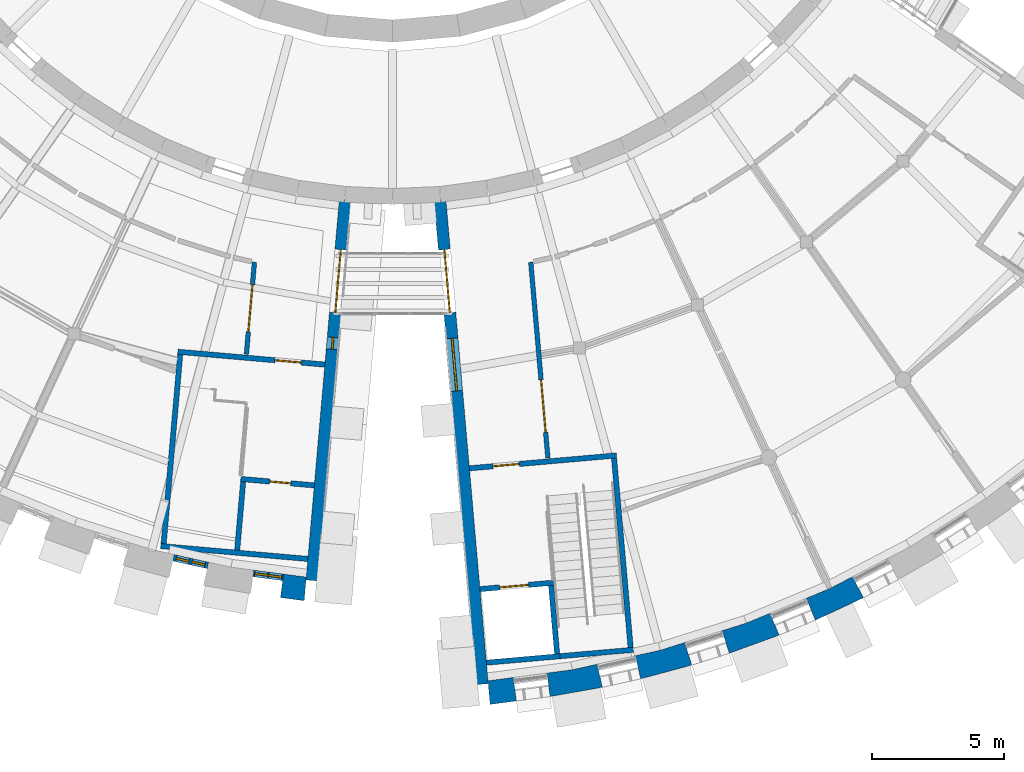
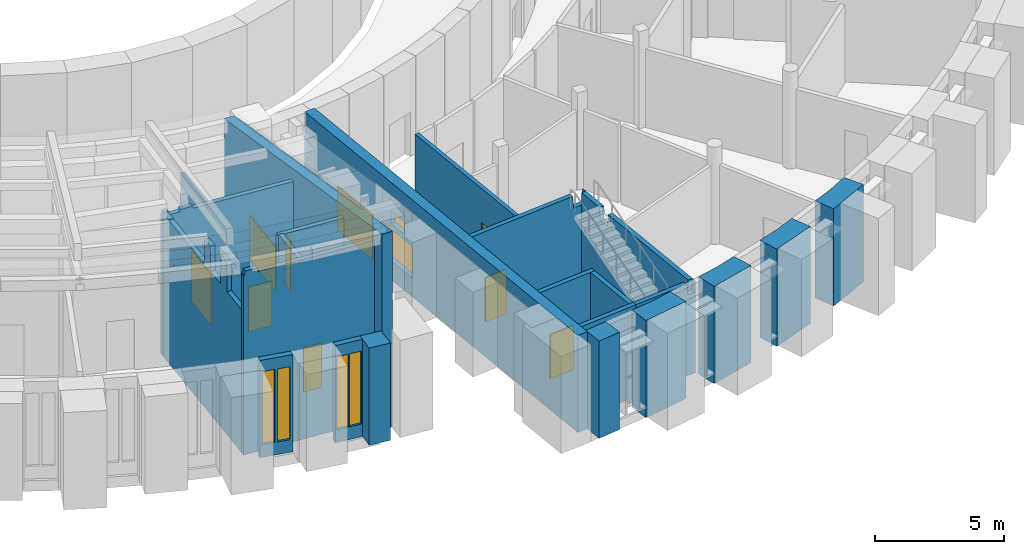
# One storey, part 38 of 66: 23 walls, 8 doors, 7 windows, 15 openings.
"""IFC4 building model written with IfcOpenShell, lengths in metres."""

from ifc_helpers import new_model, si_unit, direction, frame, frame_2d, origin, place, context, subcontext, project, spatial, polyline, rectangle, outline, extrude, material, layer, layer_set, type_object, element, fill, save


model = new_model("IFC4")

# Units and contexts
model_context = context("Model", 3, precision=1e-05, world=origin(), true_north=direction((0.0, 1.0)))
body_context = subcontext(model_context, "Body", "Model", "MODEL_VIEW")
ifc_project = project(units=[si_unit("LENGTHUNIT", "METRE"), si_unit("AREAUNIT", "SQUARE_METRE"), si_unit("VOLUMEUNIT", "CUBIC_METRE"), si_unit("PLANEANGLEUNIT", "RADIAN"), si_unit("MASSUNIT", "GRAM", prefix="KILO")], contexts=[model_context])

# Site, building, storey
site_placement = place(None, origin())
site = spatial("IfcSite", under=ifc_project, at=site_placement, CompositionType="ELEMENT")
building_placement = place(site_placement, origin())
building = spatial("IfcBuilding", under=site, at=building_placement, Name="Volute Hill Aquarium", CompositionType="ELEMENT")
storey_placement = place(building_placement, frame((0.0, 0.0, 4.60009765625)))
storey = spatial("IfcBuildingStorey", under=building, at=storey_placement, Name="L02", CompositionType="ELEMENT", Elevation=4.60009765625)

# Wall, opening, door
ifc_material_1 = material(Name="Concrete C30/37", Category="concrete")
ifc_layer_1 = layer(ifc_material_1, 0.199951171875)
ifc_layer_set_1 = layer_set([ifc_layer_1], Name="Core wall 200 REI 60")
wall_type_1 = type_object("IfcWallType", Name="Core wall 200 REI 60", PredefinedType="SHEAR", material=ifc_layer_set_1)
wall_1_placement = place(storey_placement, frame((-2.56982421875, -27.0791015625, 0.0), z_axis=(0.0, 0.0, 1.0), x_axis=(-0.996195468136, 0.08714694065, 0.0)))
wall_1 = element("IfcWall", 1, at=wall_1_placement, inside=storey, type_object=wall_type_1, Name="wc/S2-B/L02/in", PredefinedType="SHEAR", context=body_context, shape_type="SweptSolid", body=[
    extrude(outline(polyline([(0.0, 0.0), (5.60009765625, 0.0), (5.60009765625, 6.599609375), (5.550048828125, 6.79541015625), (5.349853515625, 6.79541015625), (5.2998046875, 6.599609375), (4.87841796875, 6.599609375), (4.828369140625, 6.701171875), (4.328369140625, 6.701171875), (4.2783203125, 6.599609375), (0.0, 6.599609375), (0.0, 0.0)])), frame((0.0, 0.10009765625, 0.0), z_axis=(0.0, -1.0, 0.0), x_axis=(1.0, 0.0, 0.0)), (0.0, 0.0, 1.0), 0.199951171875),
])
opening_1_placement = place(wall_1_placement, frame((0.89990234375, 0.0, 0.0)))
opening_1 = element("IfcOpeningElement", 2, at=opening_1_placement, cuts=wall_1, Name="Opening D2.02.BS", PredefinedType="OPENING", context=body_context, shape_type="SweptSolid", body=[
    extrude(rectangle(XDim=1.0, YDim=2.10009765625, at=frame_2d((0.5, 1.050048828125))), frame((0.0, 0.10986328125, 0.0), z_axis=(0.0, -1.0, 0.0), x_axis=(1.0, 0.0, 0.0)), (0.0, 0.0, 1.0), 0.219970703125),
])
ifc_material_2 = material(Name="Timber, fire-rated", Category="wood")
door_type_1 = type_object("IfcDoorType", Name="Door 1000 x 2100 single EI1 30", OperationType="SINGLE_SWING_LEFT", PredefinedType="DOOR", material=ifc_material_2)
door_1_placement = place(opening_1_placement, origin())
door_1 = element("IfcDoor", 3, at=door_1_placement, inside=storey, type_object=door_type_1, Name="d/S2-B/L02/st", OperationType="SINGLE_SWING_RIGHT", OverallHeight=2.10009765625, OverallWidth=1.0, PredefinedType="DOOR", context=body_context, shape_type="SweptSolid", body=[
    extrude(rectangle(XDim=1.0, YDim=2.10009765625, at=frame_2d((0.5, 1.050048828125))), frame((0.0, 0.02490234375, 0.0), z_axis=(0.0, -1.0, 0.0), x_axis=(1.0, 0.0, 0.0)), (0.0, 0.0, 1.0), 0.050048828125),
])
fill(opening_1, door_1)

# Walls
wall_2_placement = place(storey_placement, frame((-8.0576171875, -26.69921875, 0.0), z_axis=(0.0, 0.0, 1.0), x_axis=(-0.087178307383, -0.996192723684, 0.0)))
element("IfcWall", 4, at=wall_2_placement, inside=storey, type_object=wall_type_1, Name="wc/S2-B/L02/side", PredefinedType="SHEAR", context=body_context, shape_type="SweptSolid", body=[
    extrude(outline(polyline([(0.0, 0.0), (7.199951171875, 0.0), (7.199951171875, 6.7763671875), (5.893310546875, 6.7763671875), (5.84326171875, 8.213623046875), (5.34326171875, 8.213623046875), (5.293212890625, 6.7763671875), (4.397216796875, 6.7763671875), (4.34716796875, 7.956787109375), (3.84716796875, 7.956787109375), (3.797119140625, 6.7763671875), (0.577392578125, 6.7763671875), (0.52734375, 6.79541015625), (0.050048828125, 6.79541015625), (0.0, 6.7763671875), (0.0, 0.0)])), frame((0.0, 0.10009765625, 0.0), z_axis=(0.0, -1.0, 0.0), x_axis=(1.0, 0.0, 0.0)), (0.0, 0.0, 1.0), 0.199951171875),
])
wall_3_placement = place(storey_placement, frame((-3.21484375, -34.450927734375, 0.0), z_axis=(0.0, 0.0, 1.0), x_axis=(-0.996195137027, 0.087150725554, 0.0)))
element("IfcWall", 5, at=wall_3_placement, inside=storey, type_object=wall_type_1, Name="wc/S2-B/L02/out", PredefinedType="SHEAR", context=body_context, shape_type="SweptSolid", body=[
    extrude(outline(polyline([(0.0, 0.0), (5.599853515625, 0.0), (5.60009765625, 8.501953125), (5.564697265625, 8.501953125), (5.5146484375, 8.6865234375), (5.0146484375, 8.6865234375), (4.964599609375, 8.501953125), (0.0, 8.501953125), (0.0, 0.0)])), frame((0.0, 0.10009765625, 0.0), z_axis=(0.0, -1.0, 0.0), x_axis=(1.0, 0.0, 0.0)), (0.0, 0.0, 1.0), 0.199951171875),
])

# Wall, opening, door
wall_4_placement = place(storey_placement, frame((2.9140625, -31.013916015625, 0.0), z_axis=(0.0, 0.0, 1.0), x_axis=(0.996195468136, 0.08714694065, 0.0)))
wall_4 = element("IfcWall", 6, at=wall_4_placement, inside=storey, type_object=wall_type_1, Name="wc/S3-A/L02/in", PredefinedType="SHEAR", context=body_context, shape_type="SweptSolid", body=[
    extrude(outline(polyline([(0.0, 0.0), (5.60009765625, 0.0), (5.60009765625, 4.349853515625), (5.574951171875, 4.349853515625), (5.52490234375, 3.77978515625), (5.02490234375, 3.77978515625), (4.97509765625, 4.349853515625), (0.0, 4.349853515625), (0.0, 0.0)])), frame((0.0, 0.10009765625, 0.0), z_axis=(0.0, -1.0, 0.0), x_axis=(1.0, 0.0, 0.0)), (0.0, 0.0, 1.0), 0.199951171875),
])
opening_2_placement = place(wall_4_placement, frame((0.89990234375, 0.0, 0.0)))
opening_2 = element("IfcOpeningElement", 7, at=opening_2_placement, cuts=wall_4, Name="Opening D3.02.AS", PredefinedType="OPENING", context=body_context, shape_type="SweptSolid", body=[
    extrude(rectangle(XDim=1.0, YDim=2.10009765625, at=frame_2d((0.5, 1.050048828125))), frame((0.0, 0.10986328125, 0.0), z_axis=(0.0, -1.0, 0.0), x_axis=(1.0, 0.0, 0.0)), (0.0, 0.0, 1.0), 0.219970703125),
])
door_2_placement = place(opening_2_placement, origin())
door_2 = element("IfcDoor", 8, at=door_2_placement, inside=storey, type_object=door_type_1, Name="d/S3-A/L02/st", OperationType="SINGLE_SWING_RIGHT", OverallHeight=2.10009765625, OverallWidth=1.0, PredefinedType="DOOR", context=body_context, shape_type="SweptSolid", body=[
    extrude(rectangle(XDim=1.0, YDim=2.10009765625, at=frame_2d((0.5, 1.050048828125))), frame((0.0, 0.02490234375, 0.0), z_axis=(0.0, -1.0, 0.0), x_axis=(1.0, 0.0, 0.0)), (0.0, 0.0, 1.0), 0.050048828125),
])
fill(opening_2, door_2)

# Walls
wall_5_placement = place(storey_placement, frame((8.40185546875, -30.63427734375, 0.0), z_axis=(0.0, 0.0, 1.0), x_axis=(0.087144656612, -0.996195667941, 0.0)))
element("IfcWall", 9, at=wall_5_placement, inside=storey, type_object=wall_type_1, Name="wc/S3-A/L02/side", PredefinedType="SHEAR", context=body_context, shape_type="SweptSolid", body=[
    extrude(outline(polyline([(0.0, 0.0), (7.199951171875, 0.0), (7.199951171875, 4.349853515625), (1.7939453125, 4.349853515625), (1.743896484375, 3.77978515625), (1.243896484375, 3.77978515625), (1.194091796875, 4.349853515625), (0.0, 4.349853515625), (0.0, 0.0)])), frame((0.0, 0.10009765625, 0.0), z_axis=(0.0, -1.0, 0.0), x_axis=(1.0, 0.0, 0.0)), (0.0, 0.0, 1.0), 0.199951171875),
])
wall_6_placement = place(storey_placement, frame((6.348388671875, -38.141845703125, 0.0), z_axis=(0.0, 0.0, 1.0), x_axis=(0.996191351034, 0.087193991338, 0.0)))
element("IfcWall", 10, at=wall_6_placement, inside=storey, type_object=wall_type_1, Name="wc/S3-A/L02/out-b", PredefinedType="SHEAR", context=body_context, shape_type="SweptSolid", body=[
    extrude(outline(polyline([(0.0, 0.0), (2.800048828125, 0.0), (2.800048828125, 4.349853515625), (2.75, 3.829833984375), (2.44482421875, 3.829833984375), (2.39501953125, 4.349853515625), (0.0, 4.349853515625), (0.0, 0.0)])), frame((0.0, 0.10009765625, 0.0), z_axis=(0.0, -1.0, 0.0), x_axis=(1.0, 0.0, 0.0)), (0.0, 0.0, 1.0), 0.199951171875),
])

# Wall, opening, door
ifc_material_3 = material(Name="Gypsum board on steel studs", Category="steel")
ifc_layer_2 = layer(ifc_material_3, 0.175048828125)
ifc_layer_set_2 = layer_set([ifc_layer_2], Name="Corridor partition 175 EI 60")
wall_type_2 = type_object("IfcWallType", Name="Corridor partition 175 EI 60", PredefinedType="PARTITIONING", material=ifc_layer_set_2)
wall_7_placement = place(storey_placement, frame((-5.547119140625, -26.68798828125, 0.0), z_axis=(0.0, 0.0, 1.0), x_axis=(0.087185076517, 0.996192131284, 0.0)))
wall_7 = element("IfcWall", 11, at=wall_7_placement, inside=storey, type_object=wall_type_2, Name="pw/S2/L02/007", PredefinedType="PARTITIONING", context=body_context, shape_type="SweptSolid", body=[
    extrude(rectangle(XDim=3.5087890625, YDim=0.175048828125, at=frame_2d((1.75439453125, 0.0))), origin(), (0.0, 0.0, 1.0), 5.552001953125),
])
opening_3_placement = place(wall_7_placement, frame((0.8544921875, 0.0, 0.0)))
opening_3 = element("IfcOpeningElement", 12, at=opening_3_placement, cuts=wall_7, Name="Opening D2.02.02", PredefinedType="OPENING", context=body_context, shape_type="SweptSolid", body=[
    extrude(rectangle(XDim=1.800048828125, YDim=2.39990234375, at=frame_2d((0.89990234375, 1.199951171875))), frame((0.0, 0.097412109375, 0.0), z_axis=(0.0, -1.0, 0.0), x_axis=(1.0, 0.0, 0.0)), (0.0, 0.0, 1.0), 0.195068359375),
])
ifc_material_4 = material(Name="Timber, fire-rated", Category="wood")
door_type_2 = type_object("IfcDoorType", Name="Door 1800 x 2400 gallery double EI1 30", OperationType="DOUBLE_DOOR_SINGLE_SWING", PredefinedType="DOOR", material=ifc_material_4)
door_3_placement = place(opening_3_placement, origin())
door_3 = element("IfcDoor", 13, at=door_3_placement, inside=storey, type_object=door_type_2, Name="d/S2/L02/02", OperationType="SINGLE_SWING_LEFT", OverallHeight=2.39990234375, OverallWidth=1.800048828125, PredefinedType="DOOR", context=body_context, shape_type="SweptSolid", body=[
    extrude(rectangle(XDim=1.800048828125, YDim=2.39990234375, at=frame_2d((0.89990234375, 1.199951171875))), frame((0.0, 0.02490234375, 0.0), z_axis=(0.0, -1.0, 0.0), x_axis=(1.0, 0.0, 0.0)), (0.0, 0.0, 1.0), 0.050048828125),
])
fill(opening_3, door_3)

wall_8_placement = place(storey_placement, frame((5.2412109375, -23.192626953125, 0.0), z_axis=(0.0, 0.0, 1.0), x_axis=(0.087164920084, -0.996193895136, 0.0)))
wall_8 = element("IfcWall", 14, at=wall_8_placement, inside=storey, type_object=wall_type_2, Name="pw/S3/L02/002", PredefinedType="PARTITIONING", context=body_context, shape_type="SweptSolid", body=[
    extrude(rectangle(XDim=7.458740234375, YDim=0.175048828125, at=frame_2d((3.7294921875, 0.0))), origin(), (0.0, 0.0, 1.0), 3.7099609375),
])
opening_4_placement = place(wall_8_placement, frame((4.4794921875, 0.0, 0.0)))
opening_4 = element("IfcOpeningElement", 15, at=opening_4_placement, cuts=wall_8, Name="Opening D3.02.04", PredefinedType="OPENING", context=body_context, shape_type="SweptSolid", body=[
    extrude(rectangle(XDim=2.0, YDim=2.10009765625, at=frame_2d((1.0, 1.050048828125))), frame((0.0, 0.097412109375, 0.0), z_axis=(0.0, -1.0, 0.0), x_axis=(1.0, 0.0, 0.0)), (0.0, 0.0, 1.0), 0.195068359375),
])
ifc_material_5 = material(Name="Timber, fire-rated", Category="wood")
door_type_3 = type_object("IfcDoorType", Name="Door 2000 x 2100 hall double EI1 30", OperationType="DOUBLE_DOOR_SINGLE_SWING", PredefinedType="DOOR", material=ifc_material_5)
door_4_placement = place(opening_4_placement, origin())
door_4 = element("IfcDoor", 16, at=door_4_placement, inside=storey, type_object=door_type_3, Name="d/S3/L02/04", OperationType="SINGLE_SWING_LEFT", OverallHeight=2.10009765625, OverallWidth=2.0, PredefinedType="DOOR", context=body_context, shape_type="SweptSolid", body=[
    extrude(rectangle(XDim=2.0, YDim=2.10009765625, at=frame_2d((1.0, 1.050048828125))), frame((0.0, 0.02490234375, 0.0), z_axis=(0.0, -1.0, 0.0), x_axis=(1.0, 0.0, 0.0)), (0.0, 0.0, 1.0), 0.050048828125),
])
fill(opening_4, door_4)

# Wall, openings, door, window
ifc_material_6 = material(Name="Concrete C35/45", Category="concrete")
ifc_layer_3 = layer(ifc_material_6, 0.449951171875)
ifc_layer_set_3 = layer_set([ifc_layer_3], Name="End wall 450 C35/45")
wall_type_3 = type_object("IfcWallType", Name="End wall 450 C35/45", PredefinedType="SHEAR", material=ifc_layer_set_3)
wall_9_placement = place(storey_placement, frame((-1.796630859375, -20.822509765625, 0.0), z_axis=(0.0, 0.0, 1.0), x_axis=(-0.087148361414, -0.996195343847, 0.0)))
wall_9 = element("IfcWall", 17, at=wall_9_placement, inside=storey, type_object=wall_type_3, Name="sw/S2/L02/endB", PredefinedType="SHEAR", context=body_context, shape_type="SweptSolid", body=[
    extrude(outline(polyline([(0.0, 0.0), (14.500244140625, 0.0), (14.5, 9.24365234375), (12.6875, 8.777587890625), (10.875, 8.311767578125), (9.0625, 7.845703125), (7.25, 7.3798828125), (5.4375, 6.913818359375), (3.625, 6.447998046875), (1.8125, 5.98193359375), (0.0, 5.51611328125), (0.0, 0.0)])), frame((0.0, 0.22509765625, 0.0), z_axis=(0.0, -1.0, 0.0), x_axis=(1.0, 0.0, 0.0)), (0.0, 0.0, 1.0), 0.449951171875),
])
opening_5_placement = place(wall_9_placement, frame((5.2470703125, 0.0, 0.89990234375)))
opening_5 = element("IfcOpeningElement", 18, at=opening_5_placement, cuts=wall_9, Name="Opening W8", PredefinedType="OPENING", context=body_context, shape_type="SweptSolid", body=[
    extrude(rectangle(XDim=0.449951171875, YDim=2.39990234375, at=frame_2d((0.22509765625, 1.199951171875))), frame((0.0, 0.23486328125, 0.0), z_axis=(0.0, -1.0, 0.0), x_axis=(1.0, 0.0, 0.0)), (0.0, 0.0, 1.0), 0.469970703125),
])
opening_6_placement = place(wall_9_placement, frame((1.900146484375, 0.0, 0.0)))
opening_6 = element("IfcOpeningElement", 19, at=opening_6_placement, cuts=wall_9, Name="Opening D2.02.BB", PredefinedType="OPENING", context=body_context, shape_type="SweptSolid", body=[
    extrude(rectangle(XDim=2.39990234375, YDim=2.10009765625, at=frame_2d((1.199951171875, 1.050048828125))), frame((0.0, 0.23486328125, 0.0), z_axis=(0.0, -1.0, 0.0), x_axis=(1.0, 0.0, 0.0)), (0.0, 0.0, 1.0), 0.469970703125),
])
ifc_material_7 = material(Name="Timber", Category="wood")
door_type_4 = type_object("IfcDoorType", Name="Door 2400 x 2100 bridge double", OperationType="DOUBLE_DOOR_SINGLE_SWING", PredefinedType="DOOR", material=ifc_material_7)
door_5_placement = place(opening_6_placement, origin())
door_5 = element("IfcDoor", 20, at=door_5_placement, inside=storey, type_object=door_type_4, Name="d/S2/L02/brB", OperationType="SINGLE_SWING_LEFT", OverallHeight=2.10009765625, OverallWidth=2.39990234375, PredefinedType="DOOR", context=body_context, shape_type="SweptSolid", body=[
    extrude(rectangle(XDim=2.39990234375, YDim=2.10009765625, at=frame_2d((1.199951171875, 1.050048828125))), frame((0.0, 0.02490234375, 0.0), z_axis=(0.0, -1.0, 0.0), x_axis=(1.0, 0.0, 0.0)), (0.0, 0.0, 1.0), 0.050048828125),
])
fill(opening_6, door_5)
ifc_material_8 = material(Name="Aluminium and glass", Category="aluminium")
window_type_1 = type_object("IfcWindowType", Name="End wall window 450x2400", PartitioningType="SINGLE_PANEL", PredefinedType="WINDOW", material=ifc_material_8)
window_1_placement = place(opening_5_placement, origin())
window_1 = element("IfcWindow", 21, at=window_1_placement, inside=storey, type_object=window_type_1, Name="End wall window S2B L02 2.1", OverallHeight=2.39990234375, OverallWidth=0.449951171875, PartitioningType="SINGLE_PANEL", PredefinedType="WINDOW", context=body_context, shape_type="SweptSolid", body=[
    extrude(rectangle(XDim=0.449951171875, YDim=2.39990234375, at=frame_2d((0.22509765625, 1.199951171875))), frame((0.0, 0.030029296875, 0.0), z_axis=(0.0, -1.0, 0.0), x_axis=(1.0, 0.0, 0.0)), (0.0, 0.0, 1.0), 0.06005859375),
])
fill(opening_5, window_1)

# Wall, openings, door, windows
wall_10_placement = place(storey_placement, frame((1.796630859375, -20.822509765625, 0.0), z_axis=(0.0, 0.0, 1.0), x_axis=(0.087162354101, -0.996194119651, 0.0)))
wall_10 = element("IfcWall", 22, at=wall_10_placement, inside=storey, type_object=wall_type_3, Name="sw/S3/L02/endA", PredefinedType="SHEAR", context=body_context, shape_type="SweptSolid", body=[
    extrude(rectangle(XDim=18.4501953125, YDim=0.449951171875, at=frame_2d((9.22509765625, 0.0))), origin(), (0.0, 0.0, 1.0), 4.599853515625),
])
opening_7_placement = place(wall_10_placement, frame((5.277587890625, 0.0, 0.89990234375)))
opening_7 = element("IfcOpeningElement", 23, at=opening_7_placement, cuts=wall_10, Name="Opening W11", PredefinedType="OPENING", context=body_context, shape_type="SweptSolid", body=[
    extrude(rectangle(XDim=2.007568359375, YDim=1.5, at=frame_2d((1.00390625, 0.75))), frame((0.0, 0.23486328125, 0.0), z_axis=(0.0, -1.0, 0.0), x_axis=(1.0, 0.0, 0.0)), (0.0, 0.0, 1.0), 0.469970703125),
])
opening_8_placement = place(wall_10_placement, frame((5.831298828125, 0.0, 2.64990234375)))
opening_8 = element("IfcOpeningElement", 24, at=opening_8_placement, cuts=wall_10, Name="Opening W10", PredefinedType="OPENING", context=body_context, shape_type="SweptSolid", body=[
    extrude(rectangle(XDim=0.89990234375, YDim=0.60009765625, at=frame_2d((0.449951171875, 0.300048828125))), frame((0.0, 0.23486328125, 0.0), z_axis=(0.0, -1.0, 0.0), x_axis=(1.0, 0.0, 0.0)), (0.0, 0.0, 1.0), 0.469970703125),
])
opening_9_placement = place(wall_10_placement, frame((1.900146484375, 0.0, 0.0)))
opening_9 = element("IfcOpeningElement", 25, at=opening_9_placement, cuts=wall_10, Name="Opening D3.02.BA", PredefinedType="OPENING", context=body_context, shape_type="SweptSolid", body=[
    extrude(rectangle(XDim=2.39990234375, YDim=2.10009765625, at=frame_2d((1.199951171875, 1.050048828125))), frame((0.0, 0.23486328125, 0.0), z_axis=(0.0, -1.0, 0.0), x_axis=(1.0, 0.0, 0.0)), (0.0, 0.0, 1.0), 0.469970703125),
])
door_6_placement = place(opening_9_placement, origin())
door_6 = element("IfcDoor", 26, at=door_6_placement, inside=storey, type_object=door_type_4, Name="d/S3/L02/brA", OperationType="SINGLE_SWING_LEFT", OverallHeight=2.10009765625, OverallWidth=2.39990234375, PredefinedType="DOOR", context=body_context, shape_type="SweptSolid", body=[
    extrude(rectangle(XDim=2.39990234375, YDim=2.10009765625, at=frame_2d((1.199951171875, 1.050048828125))), frame((0.0, 0.02490234375, 0.0), z_axis=(0.0, -1.0, 0.0), x_axis=(1.0, 0.0, 0.0)), (0.0, 0.0, 1.0), 0.050048828125),
])
fill(opening_9, door_6)
ifc_material_9 = material(Name="Aluminium and glass", Category="aluminium")
window_type_2 = type_object("IfcWindowType", Name="End wall window 2007x1500", PartitioningType="SINGLE_PANEL", PredefinedType="WINDOW", material=ifc_material_9)
window_2_placement = place(opening_7_placement, origin())
window_2 = element("IfcWindow", 27, at=window_2_placement, inside=storey, type_object=window_type_2, Name="End wall window S3A L02 2.1", OverallHeight=1.5, OverallWidth=2.007568359375, PartitioningType="SINGLE_PANEL", PredefinedType="WINDOW", context=body_context, shape_type="SweptSolid", body=[
    extrude(rectangle(XDim=2.007568359375, YDim=1.5, at=frame_2d((1.00390625, 0.75))), frame((0.0, 0.030029296875, 0.0), z_axis=(0.0, -1.0, 0.0), x_axis=(1.0, 0.0, 0.0)), (0.0, 0.0, 1.0), 0.06005859375),
])
fill(opening_7, window_2)
ifc_material_10 = material(Name="Aluminium and glass", Category="aluminium")
window_type_3 = type_object("IfcWindowType", Name="End wall window 900x600", PartitioningType="SINGLE_PANEL", PredefinedType="WINDOW", material=ifc_material_10)
window_3_placement = place(opening_8_placement, origin())
window_3 = element("IfcWindow", 28, at=window_3_placement, inside=storey, type_object=window_type_3, Name="End wall window S3A L02 2.2", OverallHeight=0.60009765625, OverallWidth=0.89990234375, PartitioningType="SINGLE_PANEL", PredefinedType="WINDOW", context=body_context, shape_type="SweptSolid", body=[
    extrude(rectangle(XDim=0.89990234375, YDim=0.60009765625, at=frame_2d((0.449951171875, 0.300048828125))), frame((0.0, 0.030029296875, 0.0), z_axis=(0.0, -1.0, 0.0), x_axis=(1.0, 0.0, 0.0)), (0.0, 0.0, 1.0), 0.06005859375),
])
fill(opening_8, window_3)

# Wall, openings, windows
ifc_material_11 = material(Name="Concrete C30/37", Category="concrete")
ifc_layer_4 = layer(ifc_material_11, 0.25)
ifc_layer_set_4 = layer_set([ifc_layer_4], Name="Niche back wall full height 250")
wall_type_4 = type_object("IfcWallType", Name="Niche back wall full height 250", PredefinedType="NOTDEFINED", material=ifc_layer_set_4)
wall_11_placement = place(storey_placement, frame((-7.00537109375, -34.697265625, 0.0), z_axis=(0.0, 0.0, 1.0), x_axis=(-0.976294025083, 0.216448554135, 0.0)))
wall_11 = element("IfcWall", 29, at=wall_11_placement, inside=storey, type_object=wall_type_4, Name="Niche back wall OWN S2 L02 9", PredefinedType="NOTDEFINED", context=body_context, shape_type="SweptSolid", body=[
    extrude(rectangle(XDim=1.341064453125, YDim=0.25, at=frame_2d((0.67041015625, 0.0))), origin(), (0.0, 0.0, 1.0), 4.599853515625),
])
opening_10_placement = place(wall_11_placement, frame((0.72900390625, 0.0, 0.60009765625)))
opening_10 = element("IfcOpeningElement", 30, at=opening_10_placement, cuts=wall_11, Name="Opening W3", PredefinedType="OPENING", context=body_context, shape_type="SweptSolid", body=[
    extrude(rectangle(XDim=0.5, YDim=3.449951171875, at=frame_2d((0.25, 1.72509765625))), frame((0.0, 0.135009765625, 0.0), z_axis=(0.0, -1.0, 0.0), x_axis=(1.0, 0.0, 0.0)), (0.0, 0.0, 1.0), 0.27001953125),
])
opening_11_placement = place(wall_11_placement, frame((0.112060546875, 0.0, 0.60009765625)))
opening_11 = element("IfcOpeningElement", 31, at=opening_11_placement, cuts=wall_11, Name="Opening W3", PredefinedType="OPENING", context=body_context, shape_type="SweptSolid", body=[
    extrude(rectangle(XDim=0.5, YDim=3.449951171875, at=frame_2d((0.25, 1.72509765625))), frame((0.0, 0.135009765625, 0.0), z_axis=(0.0, -1.0, 0.0), x_axis=(1.0, 0.0, 0.0)), (0.0, 0.0, 1.0), 0.27001953125),
])
ifc_material_12 = material(Name="Aluminium and glass", Category="aluminium")
window_type_4 = type_object("IfcWindowType", Name="Slit window 500x3450", PartitioningType="SINGLE_PANEL", PredefinedType="WINDOW", material=ifc_material_12)
window_4_placement = place(opening_10_placement, origin())
window_4 = element("IfcWindow", 32, at=window_4_placement, inside=storey, type_object=window_type_4, Name="Slit window S2 L02 9.1.1", OverallHeight=3.449951171875, OverallWidth=0.5, PartitioningType="SINGLE_PANEL", PredefinedType="WINDOW", context=body_context, shape_type="SweptSolid", body=[
    extrude(rectangle(XDim=0.5, YDim=3.449951171875, at=frame_2d((0.25, 1.72509765625))), frame((0.0, 0.030029296875, 0.0), z_axis=(0.0, -1.0, 0.0), x_axis=(1.0, 0.0, 0.0)), (0.0, 0.0, 1.0), 0.06005859375),
])
fill(opening_10, window_4)
window_5_placement = place(opening_11_placement, origin())
window_5 = element("IfcWindow", 33, at=window_5_placement, inside=storey, type_object=window_type_4, Name="Slit window S2 L02 9.1.2", OverallHeight=3.449951171875, OverallWidth=0.5, PartitioningType="SINGLE_PANEL", PredefinedType="WINDOW", context=body_context, shape_type="SweptSolid", body=[
    extrude(rectangle(XDim=0.5, YDim=3.449951171875, at=frame_2d((0.25, 1.72509765625))), frame((0.0, 0.030029296875, 0.0), z_axis=(0.0, -1.0, 0.0), x_axis=(1.0, 0.0, 0.0)), (0.0, 0.0, 1.0), 0.06005859375),
])
fill(opening_11, window_5)

wall_12_placement = place(storey_placement, frame((-4.153076171875, -35.149658203125, 0.0), z_axis=(0.0, 0.0, 1.0), x_axis=(-0.991443366471, 0.130537546632, 0.0)))
wall_12 = element("IfcWall", 34, at=wall_12_placement, inside=storey, type_object=wall_type_4, Name="Niche back wall OWN S2 L02 10", PredefinedType="NOTDEFINED", context=body_context, shape_type="SweptSolid", body=[
    extrude(rectangle(XDim=1.140869140625, YDim=0.25, at=frame_2d((0.5703125, 0.0))), origin(), (0.0, 0.0, 1.0), 4.599853515625),
])
opening_12_placement = place(wall_12_placement, frame((0.582763671875, 0.0, 0.60009765625)))
opening_12 = element("IfcOpeningElement", 35, at=opening_12_placement, cuts=wall_12, Name="Opening W3", PredefinedType="OPENING", context=body_context, shape_type="SweptSolid", body=[
    extrude(rectangle(XDim=0.5, YDim=3.449951171875, at=frame_2d((0.25, 1.72509765625))), frame((0.0, 0.135009765625, 0.0), z_axis=(0.0, -1.0, 0.0), x_axis=(1.0, 0.0, 0.0)), (0.0, 0.0, 1.0), 0.27001953125),
])
opening_13_placement = place(wall_12_placement, frame((0.05810546875, 0.0, 0.60009765625)))
opening_13 = element("IfcOpeningElement", 36, at=opening_13_placement, cuts=wall_12, Name="Opening W3", PredefinedType="OPENING", context=body_context, shape_type="SweptSolid", body=[
    extrude(rectangle(XDim=0.5, YDim=3.449951171875, at=frame_2d((0.25, 1.72509765625))), frame((0.0, 0.135009765625, 0.0), z_axis=(0.0, -1.0, 0.0), x_axis=(1.0, 0.0, 0.0)), (0.0, 0.0, 1.0), 0.27001953125),
])
window_6_placement = place(opening_12_placement, origin())
window_6 = element("IfcWindow", 37, at=window_6_placement, inside=storey, type_object=window_type_4, Name="Slit window S2 L02 10.1.1", OverallHeight=3.449951171875, OverallWidth=0.5, PartitioningType="SINGLE_PANEL", PredefinedType="WINDOW", context=body_context, shape_type="SweptSolid", body=[
    extrude(rectangle(XDim=0.5, YDim=3.449951171875, at=frame_2d((0.25, 1.72509765625))), frame((0.0, 0.030029296875, 0.0), z_axis=(0.0, -1.0, 0.0), x_axis=(1.0, 0.0, 0.0)), (0.0, 0.0, 1.0), 0.06005859375),
])
fill(opening_12, window_6)
window_7_placement = place(opening_13_placement, origin())
window_7 = element("IfcWindow", 38, at=window_7_placement, inside=storey, type_object=window_type_4, Name="Slit window S2 L02 10.1.2", OverallHeight=3.449951171875, OverallWidth=0.5, PartitioningType="SINGLE_PANEL", PredefinedType="WINDOW", context=body_context, shape_type="SweptSolid", body=[
    extrude(rectangle(XDim=0.5, YDim=3.449951171875, at=frame_2d((0.25, 1.72509765625))), frame((0.0, 0.030029296875, 0.0), z_axis=(0.0, -1.0, 0.0), x_axis=(1.0, 0.0, 0.0)), (0.0, 0.0, 1.0), 0.06005859375),
])
fill(opening_13, window_7)

# Walls
ifc_material_13 = material(Name="Precast concrete C40/50", Category="concrete")
ifc_layer_5 = layer(ifc_material_13, 0.89990234375)
ifc_layer_set_5 = layer_set([ifc_layer_5], Name="Outer pier precast concrete C40/50 900")
wall_type_5 = type_object("IfcWallType", Name="Outer pier precast concrete C40/50 900", PredefinedType="NOTDEFINED", material=ifc_layer_set_5)
wall_13_placement = place(storey_placement, origin())
element("IfcWall", 39, at=wall_13_placement, inside=storey, type_object=wall_type_5, Name="Outer pier OWP S2 L02 11", PredefinedType="NOTDEFINED", context=body_context, shape_type="SweptSolid", body=[
    extrude(outline(polyline([(-4.13671875, -35.025634765625), (-4.25439453125, -35.91796875), (-3.353515625, -36.03662109375), (-3.275146484375, -35.13916015625), (-4.13671875, -35.025634765625)])), origin(), (0.0, 0.0, 1.0), 4.599853515625),
])
wall_14_placement = place(storey_placement, origin())
element("IfcWall", 40, at=wall_14_placement, inside=storey, type_object=wall_type_5, Name="Outer pier OWP S3 L02 1", PredefinedType="NOTDEFINED", context=body_context, shape_type="SweptSolid", body=[
    extrude(outline(polyline([(3.619384765625, -39.073974609375), (3.69775390625, -39.971435546875), (4.69580078125, -39.840087890625), (4.578369140625, -38.94775390625), (3.619384765625, -39.073974609375)])), origin(), (0.0, 0.0, 1.0), 4.599853515625),
])
wall_15_placement = place(storey_placement, origin())
element("IfcWall", 41, at=wall_15_placement, inside=storey, type_object=wall_type_5, Name="Outer pier OWP S3 L02 2", PredefinedType="NOTDEFINED", context=body_context, shape_type="SweptSolid", body=[
    extrude(outline(polyline([(5.8564453125, -38.779541015625), (5.973876953125, -39.671875), (7.954833984375, -39.322509765625), (7.760009765625, -38.44384765625), (6.815673828125, -38.6533203125), (5.8564453125, -38.779541015625)])), origin(), (0.0, 0.0, 1.0), 4.599853515625),
])
wall_16_placement = place(storey_placement, origin())
element("IfcWall", 42, at=wall_16_placement, inside=storey, type_object=wall_type_5, Name="Outer pier OWP S3 L02 3", PredefinedType="NOTDEFINED", context=body_context, shape_type="SweptSolid", body=[
    extrude(outline(polyline([(9.2138671875, -38.12158203125), (9.40869140625, -39.000244140625), (11.351806640625, -38.479736328125), (11.0810546875, -37.621337890625), (10.158447265625, -37.912109375), (9.2138671875, -38.12158203125)])), origin(), (0.0, 0.0, 1.0), 4.599853515625),
])
wall_17_placement = place(storey_placement, origin())
element("IfcWall", 43, at=wall_17_placement, inside=storey, type_object=wall_type_5, Name="Outer pier OWP S3 L02 4", PredefinedType="NOTDEFINED", context=body_context, shape_type="SweptSolid", body=[
    extrude(outline(polyline([(12.50146484375, -37.173583984375), (12.77197265625, -38.03173828125), (14.662353515625, -37.34375), (14.31787109375, -36.51220703125), (13.424072265625, -36.882568359375), (12.50146484375, -37.173583984375)])), origin(), (0.0, 0.0, 1.0), 4.599853515625),
])
wall_18_placement = place(storey_placement, origin())
element("IfcWall", 44, at=wall_18_placement, inside=storey, type_object=wall_type_5, Name="Outer pier OWP S3 L02 5", PredefinedType="NOTDEFINED", context=body_context, shape_type="SweptSolid", body=[
    extrude(outline(polyline([(15.69384765625, -35.9423828125), (16.0380859375, -36.77392578125), (17.861328125, -35.923828125), (17.445556640625, -35.12548828125), (16.587646484375, -35.572265625), (15.69384765625, -35.9423828125)])), origin(), (0.0, 0.0, 1.0), 4.599853515625),
])

# Wall, opening, door
ifc_material_14 = material(Name="Masonry blockwork", Category="masonry")
ifc_layer_6 = layer(ifc_material_14, 0.199951171875)
ifc_layer_set_6 = layer_set([ifc_layer_6], Name="Riser wall 200 EI 60")
wall_type_6 = type_object("IfcWallType", Name="Riser wall 200 EI 60", PredefinedType="SOLIDWALL", material=ifc_layer_set_6)
wall_19_placement = place(storey_placement, frame((-2.970703125, -31.66162109375, 0.0), z_axis=(0.0, 0.0, 1.0), x_axis=(-0.996191351034, 0.087193991338, 0.0)))
wall_19 = element("IfcWall", 45, at=wall_19_placement, inside=storey, type_object=wall_type_6, Name="wc/S2-B/L02/front", PredefinedType="SOLIDWALL", context=body_context, shape_type="SweptSolid", body=[
    extrude(rectangle(XDim=2.800048828125, YDim=0.199951171875, at=frame_2d((1.39990234375, 0.0))), origin(), (0.0, 0.0, 1.0), 7.781982421875),
])
opening_14_placement = place(wall_19_placement, frame((0.89990234375, 0.0, 0.0)))
opening_14 = element("IfcOpeningElement", 46, at=opening_14_placement, cuts=wall_19, Name="Opening D2.02.BR", PredefinedType="OPENING", context=body_context, shape_type="SweptSolid", body=[
    extrude(rectangle(XDim=0.800048828125, YDim=2.10009765625, at=frame_2d((0.39990234375, 1.050048828125))), frame((0.0, 0.10986328125, 0.0), z_axis=(0.0, -1.0, 0.0), x_axis=(1.0, 0.0, 0.0)), (0.0, 0.0, 1.0), 0.219970703125),
])
ifc_material_15 = material(Name="Steel, fire-rated", Category="steel")
door_type_5 = type_object("IfcDoorType", Name="Door 800 x 2100 riser EI1 30", OperationType="SINGLE_SWING_LEFT", PredefinedType="DOOR", material=ifc_material_15)
door_7_placement = place(opening_14_placement, origin())
door_7 = element("IfcDoor", 47, at=door_7_placement, inside=storey, type_object=door_type_5, Name="d/S2-B/L02/rs", OperationType="SINGLE_SWING_LEFT", OverallHeight=2.10009765625, OverallWidth=0.800048828125, PredefinedType="DOOR", context=body_context, shape_type="SweptSolid", body=[
    extrude(rectangle(XDim=0.800048828125, YDim=2.10009765625, at=frame_2d((0.39990234375, 1.050048828125))), frame((0.0, 0.02490234375, 0.0), z_axis=(0.0, -1.0, 0.0), x_axis=(1.0, 0.0, 0.0)), (0.0, 0.0, 1.0), 0.050048828125),
])
fill(opening_14, door_7)

# Walls
wall_20_placement = place(storey_placement, frame((-5.669189453125, -31.52587890625, 0.0), z_axis=(0.0, 0.0, 1.0), x_axis=(-0.087140158824, -0.996196061386, 0.0)))
element("IfcWall", 48, at=wall_20_placement, inside=storey, type_object=wall_type_6, Name="wc/S2-B/L02/shaft-side", PredefinedType="SOLIDWALL", context=body_context, shape_type="SweptSolid", body=[
    extrude(rectangle(XDim=2.60009765625, YDim=0.199951171875, at=frame_2d((1.300048828125, 0.0))), origin(), (0.0, 0.0, 1.0), 7.841552734375),
])
ifc_material_16 = material(Name="Concrete C30/37", Category="concrete")
ifc_layer_7 = layer(ifc_material_16, 0.199951171875)
ifc_layer_set_7 = layer_set([ifc_layer_7], Name="Shaft wall 200 EI 60")
wall_type_7 = type_object("IfcWallType", Name="Shaft wall 200 EI 60", PredefinedType="SOLIDWALL", material=ifc_layer_set_7)
wall_21_placement = place(storey_placement, frame((3.55908203125, -38.385986328125, 0.0), z_axis=(0.0, 0.0, 1.0), x_axis=(0.996191351034, 0.087193991338, 0.0)))
element("IfcWall", 49, at=wall_21_placement, inside=storey, type_object=wall_type_7, Name="wc/S3-A/L02/out-a", PredefinedType="SOLIDWALL", context=body_context, shape_type="SweptSolid", body=[
    extrude(rectangle(XDim=2.800048828125, YDim=0.199951171875, at=frame_2d((1.39990234375, 0.0))), origin(), (0.0, 0.0, 1.0), 4.349853515625),
])

# Wall, opening, door
wall_22_placement = place(storey_placement, frame((3.315185546875, -35.596435546875, 0.0), z_axis=(0.0, 0.0, 1.0), x_axis=(0.996198921169, 0.087107459278, 0.0)))
wall_22 = element("IfcWall", 50, at=wall_22_placement, inside=storey, type_object=wall_type_7, Name="wc/S3-A/L02/front", PredefinedType="SOLIDWALL", context=body_context, shape_type="SweptSolid", body=[
    extrude(rectangle(XDim=2.800048828125, YDim=0.199951171875, at=frame_2d((1.39990234375, 0.0))), origin(), (0.0, 0.0, 1.0), 4.349853515625),
])
opening_15_placement = place(wall_22_placement, frame((0.75, 0.0, 0.0)))
opening_15 = element("IfcOpeningElement", 51, at=opening_15_placement, cuts=wall_22, Name="Opening LD3.02.A", PredefinedType="OPENING", context=body_context, shape_type="SweptSolid", body=[
    extrude(rectangle(XDim=1.10009765625, YDim=2.10009765625, at=frame_2d((0.550048828125, 1.050048828125))), frame((0.0, 0.10986328125, 0.0), z_axis=(0.0, -1.0, 0.0), x_axis=(1.0, 0.0, 0.0)), (0.0, 0.0, 1.0), 0.219970703125),
])
ifc_material_17 = material(Name="Stainless steel", Category="steel")
door_type_6 = type_object("IfcDoorType", Name="Lift landing door 1100 x 2100", OperationType="SLIDING_TO_LEFT", PredefinedType="DOOR", material=ifc_material_17)
door_8_placement = place(opening_15_placement, origin())
door_8 = element("IfcDoor", 52, at=door_8_placement, inside=storey, type_object=door_type_6, Name="d/S3-A/L02/ld", OperationType="SLIDING_TO_LEFT", OverallHeight=2.10009765625, OverallWidth=1.10009765625, PredefinedType="DOOR", context=body_context, shape_type="SweptSolid", body=[
    extrude(rectangle(XDim=1.10009765625, YDim=2.10009765625, at=frame_2d((0.550048828125, 1.050048828125))), frame((0.0, 0.02490234375, 0.0), z_axis=(0.0, -1.0, 0.0), x_axis=(1.0, 0.0, 0.0)), (0.0, 0.0, 1.0), 0.050048828125),
])
fill(opening_15, door_8)

# Wall
wall_23_placement = place(storey_placement, frame((6.013427734375, -35.460693359375, 0.0), z_axis=(0.0, 0.0, 1.0), x_axis=(0.087140158824, -0.996196061386, 0.0)))
element("IfcWall", 53, at=wall_23_placement, inside=storey, type_object=wall_type_7, Name="wc/S3-A/L02/shaft-side", PredefinedType="SOLIDWALL", context=body_context, shape_type="SweptSolid", body=[
    extrude(rectangle(XDim=2.60009765625, YDim=0.199951171875, at=frame_2d((1.300048828125, 0.0))), origin(), (0.0, 0.0, 1.0), 4.349853515625),
])

save(model, "model.ifc")
